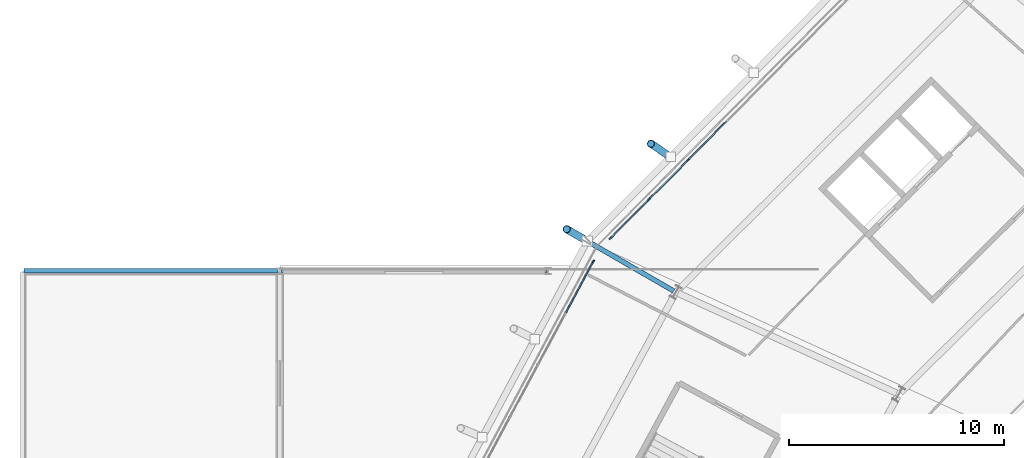
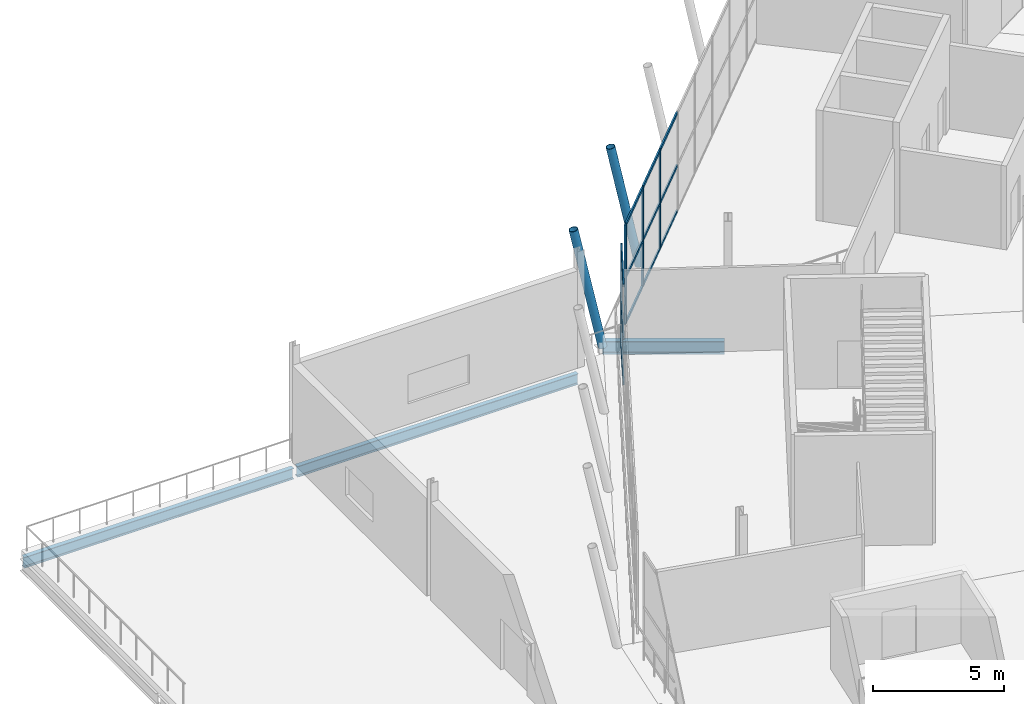
# One storey, part 31 of 126: 18 members, 3 beams, 2 elements without a shape of their own.
"""IFC4 building model written with IfcOpenShell, lengths in metres."""

from ifc_helpers import new_model, si_unit, direction, frame, origin, origin_2d, place, context, subcontext, project, spatial, rectangle, hollow_circle, i_section, extrude, material, material_profile, profile_set, type_object, element, aggregate, save


model = new_model("IFC4")

# Units and contexts
model_context = context("Model", 3, precision=1e-05, world=origin(), true_north=direction((0.0, 1.0)))
body_context = subcontext(model_context, "Body", "Model", "MODEL_VIEW")
ifc_project = project(units=[si_unit("LENGTHUNIT", "METRE"), si_unit("AREAUNIT", "SQUARE_METRE"), si_unit("VOLUMEUNIT", "CUBIC_METRE"), si_unit("PLANEANGLEUNIT", "RADIAN"), si_unit("MASSUNIT", "GRAM", prefix="KILO")], contexts=[model_context])

# Site, building, storey
site_placement = place(None, origin())
site = spatial("IfcSite", under=ifc_project, at=site_placement, CompositionType="ELEMENT")
building_placement = place(site_placement, origin())
building = spatial("IfcBuilding", under=site, at=building_placement, Name="Zlatoyarsky Gate Stadium", CompositionType="ELEMENT")
storey_placement = place(building_placement, frame((0.0, 0.0, 20.800048828125)))
storey = spatial("IfcBuildingStorey", under=building, at=storey_placement, Name="L04", CompositionType="ELEMENT", Elevation=20.800048828125)

# Curtain wall, members
ifc_material_1 = material(Name="Thermally broken anodised aluminium curtain wall", Category="aluminium")
curtain_wall_type = type_object("IfcCurtainWallType", Name="UNITISED MEDIA RING GLAZING L04", PredefinedType="USERDEFINED", material=ifc_material_1)
curtain_wall_1_placement = place(storey_placement, origin())
curtain_wall_1 = element("IfcCurtainWall", 1, at=curtain_wall_1_placement, inside=storey, type_object=curtain_wall_type, Name="Curtain wall CW-L04-09", ObjectType="UNITISED GLAZING", PredefinedType="USERDEFINED")
ifc_material_2 = material(Name="Anodised aluminium 6063-T6", Category="aluminium")
ifc_material_profile_1 = material_profile(ifc_material_2, rectangle(XDim=0.06494140625, YDim=0.159912109375, at=origin_2d()), Name="ALU 65X160")
ifc_profile_set_1 = profile_set([ifc_material_profile_1], Name="Anodised aluminium 6063-T6")
member_type_1 = type_object("IfcMemberType", Name="ALUMINIUM MULLION 65X160", PredefinedType="MULLION", material=ifc_profile_set_1)
member_1_placement = place(storey_placement, frame((31.020751953125, 121.65234375, 0.0), z_axis=(0.0, 0.0, 1.0), x_axis=(0.709870536386, -0.704332181269, 0.0)))
member_1 = element("IfcMember", 2, at=member_1_placement, type_object=member_type_1, Name="CW-UG4 mullion 7", PredefinedType="MULLION", context=body_context, shape_type="SweptSolid", body=[
    extrude(rectangle(XDim=0.06494140625, YDim=0.159912109375, at=origin_2d()), origin(), (0.0, 0.0, 1.0), 4.619873046875),
])
member_2_placement = place(storey_placement, frame((29.20703125, 119.82421875, 0.0), z_axis=(0.0, 0.0, 1.0), x_axis=(0.709870536386, -0.704332181269, 0.0)))
member_2 = element("IfcMember", 3, at=member_2_placement, type_object=member_type_1, Name="CW-UG4 mullion 8", PredefinedType="MULLION", context=body_context, shape_type="SweptSolid", body=[
    extrude(rectangle(XDim=0.06494140625, YDim=0.159912109375, at=origin_2d()), origin(), (0.0, 0.0, 1.0), 4.619873046875),
])
member_3_placement = place(storey_placement, frame((27.416015625, 118.019287109375, 0.0), z_axis=(0.0, 0.0, 1.0), x_axis=(0.709870536386, -0.704332181269, 0.0)))
member_3 = element("IfcMember", 4, at=member_3_placement, type_object=member_type_1, Name="CW-UG4 mullion 9", PredefinedType="MULLION", context=body_context, shape_type="SweptSolid", body=[
    extrude(rectangle(XDim=0.06494140625, YDim=0.159912109375, at=origin_2d()), origin(), (0.0, 0.0, 1.0), 4.619873046875),
])

# Curtain wall, member
curtain_wall_2_placement = place(storey_placement, origin())
curtain_wall_2 = element("IfcCurtainWall", 5, at=curtain_wall_2_placement, inside=storey, type_object=curtain_wall_type, Name="Curtain wall CW-L04-10", ObjectType="UNITISED GLAZING", PredefinedType="USERDEFINED")
member_4_placement = place(storey_placement, frame((26.613037109375, 116.93310546875, 0.0), z_axis=(0.0, 0.0, 1.0), x_axis=(0.881520920878, -0.472144962966, 0.0)))
member_4 = element("IfcMember", 6, at=member_4_placement, type_object=member_type_1, Name="CW-UG4 mullion 1", PredefinedType="MULLION", context=body_context, shape_type="SweptSolid", body=[
    extrude(rectangle(XDim=0.06494140625, YDim=0.159912109375, at=origin_2d()), origin(), (0.0, 0.0, 1.0), 4.619873046875),
])

# Member
ifc_material_profile_2 = material_profile(ifc_material_2, rectangle(XDim=0.06494140625, YDim=0.139892578125, at=origin_2d()), Name="ALU 65X140")
ifc_profile_set_2 = profile_set([ifc_material_profile_2], Name="Anodised aluminium 6063-T6")
member_type_2 = type_object("IfcMemberType", Name="ALUMINIUM TRANSOM 65X140", PredefinedType="USERDEFINED", material=ifc_profile_set_2)
member_5_placement = place(storey_placement, frame((32.811767578125, 123.457275390625, 0.032470703125), z_axis=(-0.70437817459, -0.709824898945, 0.0), x_axis=(0.709824898945, -0.70437817459, 0.0)))
member_5 = element("IfcMember", 7, at=member_5_placement, type_object=member_type_2, Name="CW-UG4 transom 6.1", ObjectType="TRANSOM", PredefinedType="USERDEFINED", context=body_context, shape_type="SweptSolid", body=[
    extrude(rectangle(XDim=0.06494140625, YDim=0.139892578125, at=origin_2d()), origin(), (0.0, 0.0, 1.0), 2.510009765625),
])

member_6_placement = place(storey_placement, frame((32.811767578125, 123.457275390625, 2.14990234375), z_axis=(-0.70437817459, -0.709824898945, 0.0), x_axis=(0.709824898945, -0.70437817459, 0.0)))
member_6 = element("IfcMember", 8, at=member_6_placement, type_object=member_type_2, Name="CW-UG4 transom 6.2", ObjectType="TRANSOM", PredefinedType="USERDEFINED", context=body_context, shape_type="SweptSolid", body=[
    extrude(rectangle(XDim=0.06494140625, YDim=0.139892578125, at=origin_2d()), origin(), (0.0, 0.0, 1.0), 2.510009765625),
])

member_7_placement = place(storey_placement, frame((32.811767578125, 123.457275390625, 4.58740234375), z_axis=(-0.70437817459, -0.709824898945, 0.0), x_axis=(0.709824898945, -0.70437817459, 0.0)))
member_7 = element("IfcMember", 9, at=member_7_placement, type_object=member_type_2, Name="CW-UG4 transom 6.3", ObjectType="TRANSOM", PredefinedType="USERDEFINED", context=body_context, shape_type="SweptSolid", body=[
    extrude(rectangle(XDim=0.06494140625, YDim=0.139892578125, at=origin_2d()), origin(), (0.0, 0.0, 1.0), 2.510009765625),
])

member_8_placement = place(storey_placement, frame((30.997802734375, 121.62939453125, 0.032470703125), z_axis=(-0.70432954627, -0.709873150818, 0.0), x_axis=(0.709873150818, -0.70432954627, 0.0)))
member_8 = element("IfcMember", 10, at=member_8_placement, type_object=member_type_2, Name="CW-UG4 transom 7.1", ObjectType="TRANSOM", PredefinedType="USERDEFINED", context=body_context, shape_type="SweptSolid", body=[
    extrude(rectangle(XDim=0.06494140625, YDim=0.139892578125, at=origin_2d()), origin(), (0.0, 0.0, 1.0), 2.51025390625),
])

member_9_placement = place(storey_placement, frame((30.997802734375, 121.62939453125, 2.14990234375), z_axis=(-0.70432954627, -0.709873150818, 0.0), x_axis=(0.709873150818, -0.70432954627, 0.0)))
member_9 = element("IfcMember", 11, at=member_9_placement, type_object=member_type_2, Name="CW-UG4 transom 7.2", ObjectType="TRANSOM", PredefinedType="USERDEFINED", context=body_context, shape_type="SweptSolid", body=[
    extrude(rectangle(XDim=0.06494140625, YDim=0.139892578125, at=origin_2d()), origin(), (0.0, 0.0, 1.0), 2.51025390625),
])

member_10_placement = place(storey_placement, frame((30.997802734375, 121.62939453125, 4.58740234375), z_axis=(-0.70432954627, -0.709873150818, 0.0), x_axis=(0.709873150818, -0.70432954627, 0.0)))
member_10 = element("IfcMember", 12, at=member_10_placement, type_object=member_type_2, Name="CW-UG4 transom 7.3", ObjectType="TRANSOM", PredefinedType="USERDEFINED", context=body_context, shape_type="SweptSolid", body=[
    extrude(rectangle(XDim=0.06494140625, YDim=0.139892578125, at=origin_2d()), origin(), (0.0, 0.0, 1.0), 2.51025390625),
])

member_11_placement = place(storey_placement, frame((29.18408203125, 119.80126953125, 0.032470703125), z_axis=(-0.704293097674, -0.709909312919, 0.0), x_axis=(0.709909312919, -0.704293097674, 0.0)))
member_11 = element("IfcMember", 13, at=member_11_placement, type_object=member_type_2, Name="CW-UG4 transom 8.1", ObjectType="TRANSOM", PredefinedType="USERDEFINED", context=body_context, shape_type="SweptSolid", body=[
    extrude(rectangle(XDim=0.06494140625, YDim=0.139892578125, at=origin_2d()), origin(), (0.0, 0.0, 1.0), 2.477783203125),
])

member_12_placement = place(storey_placement, frame((29.18408203125, 119.80126953125, 2.14990234375), z_axis=(-0.704293097674, -0.709909312919, 0.0), x_axis=(0.709909312919, -0.704293097674, 0.0)))
member_12 = element("IfcMember", 14, at=member_12_placement, type_object=member_type_2, Name="CW-UG4 transom 8.2", ObjectType="TRANSOM", PredefinedType="USERDEFINED", context=body_context, shape_type="SweptSolid", body=[
    extrude(rectangle(XDim=0.06494140625, YDim=0.139892578125, at=origin_2d()), origin(), (0.0, 0.0, 1.0), 2.477783203125),
])

member_13_placement = place(storey_placement, frame((29.18408203125, 119.80126953125, 4.58740234375), z_axis=(-0.704293097674, -0.709909312919, 0.0), x_axis=(0.709909312919, -0.704293097674, 0.0)))
member_13 = element("IfcMember", 15, at=member_13_placement, type_object=member_type_2, Name="CW-UG4 transom 8.3", ObjectType="TRANSOM", PredefinedType="USERDEFINED", context=body_context, shape_type="SweptSolid", body=[
    extrude(rectangle(XDim=0.06494140625, YDim=0.139892578125, at=origin_2d()), origin(), (0.0, 0.0, 1.0), 2.477783203125),
])

aggregate(curtain_wall_1, [member_1, member_2, member_3, member_5, member_6, member_7, member_8, member_9, member_10, member_11, member_12, member_13])

member_14_placement = place(storey_placement, frame((26.59765625, 116.904541015625, 0.032470703125), z_axis=(-0.472088510191, -0.881551154809, 0.0), x_axis=(0.881551154809, -0.472088510191, 0.0)))
member_14 = element("IfcMember", 16, at=member_14_placement, type_object=member_type_2, Name="CW-UG4 transom 1.1", ObjectType="TRANSOM", PredefinedType="USERDEFINED", context=body_context, shape_type="SweptSolid", body=[
    extrude(rectangle(XDim=0.06494140625, YDim=0.139892578125, at=origin_2d()), origin(), (0.0, 0.0, 1.0), 2.65087890625),
])

member_15_placement = place(storey_placement, frame((26.59765625, 116.904541015625, 2.14990234375), z_axis=(-0.472088510191, -0.881551154809, 0.0), x_axis=(0.881551154809, -0.472088510191, 0.0)))
member_15 = element("IfcMember", 17, at=member_15_placement, type_object=member_type_2, Name="CW-UG4 transom 1.2", ObjectType="TRANSOM", PredefinedType="USERDEFINED", context=body_context, shape_type="SweptSolid", body=[
    extrude(rectangle(XDim=0.06494140625, YDim=0.139892578125, at=origin_2d()), origin(), (0.0, 0.0, 1.0), 2.65087890625),
])

member_16_placement = place(storey_placement, frame((26.59765625, 116.904541015625, 4.58740234375), z_axis=(-0.472088510191, -0.881551154809, 0.0), x_axis=(0.881551154809, -0.472088510191, 0.0)))
member_16 = element("IfcMember", 18, at=member_16_placement, type_object=member_type_2, Name="CW-UG4 transom 1.3", ObjectType="TRANSOM", PredefinedType="USERDEFINED", context=body_context, shape_type="SweptSolid", body=[
    extrude(rectangle(XDim=0.06494140625, YDim=0.139892578125, at=origin_2d()), origin(), (0.0, 0.0, 1.0), 2.65087890625),
])

aggregate(curtain_wall_2, [member_4, member_14, member_15, member_16])

# Beams
ifc_material_3 = material(Name="Steel S355", Category="steel")
ifc_material_profile_3 = material_profile(ifc_material_3, i_section(OverallWidth=0.219970703125, OverallDepth=0.60009765625, WebThickness=0.011962890625, FlangeThickness=0.01904296875, FilletRadius=0.02392578125, at=origin_2d()), Name="IPE 600")
ifc_profile_set_3 = profile_set([ifc_material_profile_3], Name="Steel S355")
beam_type_1 = type_object("IfcBeamType", Name="STEEL CANTILEVER FLOOR BEAM IPE 600", PredefinedType="BEAM", material=ifc_profile_set_3)
beam_1_placement = place(storey_placement, frame((30.355712890625, 115.56005859375, -0.60009765625), z_axis=(-0.866030814921, 0.499990627519, 0.0), x_axis=(-0.499990627519, -0.866030814921, 0.0)))
element("IfcBeam", 19, at=beam_1_placement, inside=storey, type_object=beam_type_1, Name="Beam B-IPE600 BM-L04-OUT-10", PredefinedType="BEAM", context=body_context, shape_type="SweptSolid", body=[
    extrude(i_section(OverallWidth=0.219970703125, OverallDepth=0.60009765625, WebThickness=0.011962890625, FlangeThickness=0.01904296875, FilletRadius=0.02392578125, at=origin_2d()), origin(), (0.0, 0.0, 1.0), 4.6494140625),
])
ifc_material_profile_4 = material_profile(ifc_material_3, i_section(OverallWidth=0.199951171875, OverallDepth=0.5, WebThickness=0.01025390625, FlangeThickness=0.01611328125, FilletRadius=0.02099609375, at=origin_2d()), Name="IPE 500")
ifc_profile_set_4 = profile_set([ifc_material_profile_4], Name="Steel S355")
beam_type_2 = type_object("IfcBeamType", Name="STEEL FLOOR BEAM IPE 500", PredefinedType="BEAM", material=ifc_profile_set_4)
beam_2_placement = place(storey_placement, frame((0.080078125, 116.5, -0.570068359375), z_axis=(1.0, 0.0, 0.0), x_axis=(0.0, 1.0, 0.0)))
element("IfcBeam", 20, at=beam_2_placement, inside=storey, type_object=beam_type_2, Name="Beam B-IPE500 BM-L04-WGX-1-L", PredefinedType="BEAM", context=body_context, shape_type="SweptSolid", body=[
    extrude(i_section(OverallWidth=0.199951171875, OverallDepth=0.5, WebThickness=0.01025390625, FlangeThickness=0.01611328125, FilletRadius=0.02099609375, at=origin_2d()), origin(), (0.0, 0.0, 1.0), 11.83984375),
])
beam_3_placement = place(storey_placement, frame((12.080078125, 116.5, -0.550048828125), z_axis=(1.0, 0.0, 0.0), x_axis=(0.0, 1.0, 0.0)))
element("IfcBeam", 21, at=beam_3_placement, inside=storey, type_object=beam_type_2, Name="Beam B-IPE500 BM-L04-WGX-2-L", PredefinedType="BEAM", context=body_context, shape_type="SweptSolid", body=[
    extrude(i_section(OverallWidth=0.199951171875, OverallDepth=0.5, WebThickness=0.01025390625, FlangeThickness=0.01611328125, FilletRadius=0.02099609375, at=origin_2d()), origin(), (0.0, 0.0, 1.0), 12.33984375),
])

# Members
ifc_material_profile_5 = material_profile(ifc_material_3, hollow_circle(Radius=0.177734375, WallThickness=0.02001953125, at=origin_2d()), Name="CHS 355.6X20")
ifc_profile_set_5 = profile_set([ifc_material_profile_5], Name="Steel S355")
member_type_3 = type_object("IfcMemberType", Name="STEEL LEANING RIB RING STRUT CHS 355.6X20", PredefinedType="STRUT", material=ifc_profile_set_5)
member_17_placement = place(storey_placement, frame((26.3291015625, 117.884765625, -0.60009765625), z_axis=(-0.172912265189, 0.09982473092, 0.979865486505), x_axis=(-0.49997666526, -0.866038875684, 0.0)))
element("IfcMember", 22, at=member_17_placement, inside=storey, type_object=member_type_3, Name="Leaning ring strut 10 L04 to L05", PredefinedType="STRUT", context=body_context, shape_type="SweptSolid", body=[
    extrude(hollow_circle(Radius=0.177734375, WallThickness=0.02001953125, at=origin_2d()), origin(), (0.0, 0.0, 1.0), 5.5517578125),
])
member_18_placement = place(storey_placement, frame((30.21337890625, 121.807861328125, -0.550048828125), z_axis=(-0.164995513557, 0.110187619691, 0.980119976826), x_axis=(-0.555365126941, -0.831606623216, 0.0)))
element("IfcMember", 23, at=member_18_placement, inside=storey, type_object=member_type_3, Name="Outward-leaning bowl louvre fin rib L04 09-3", PredefinedType="STRUT", context=body_context, shape_type="SweptSolid", body=[
    extrude(hollow_circle(Radius=0.177734375, WallThickness=0.02001953125, at=origin_2d()), origin(), (0.0, 0.0, 1.0), 5.55029296875),
])

save(model, "model.ifc")
